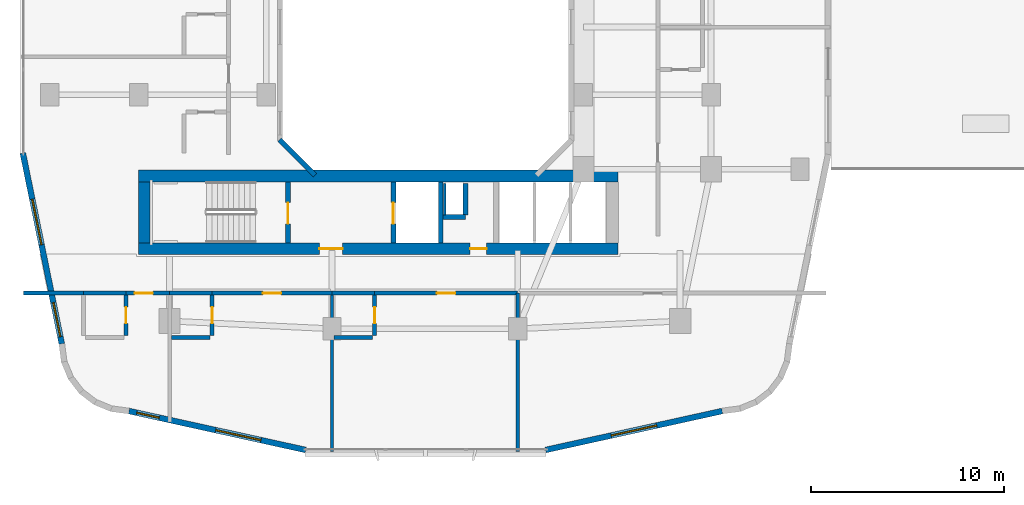
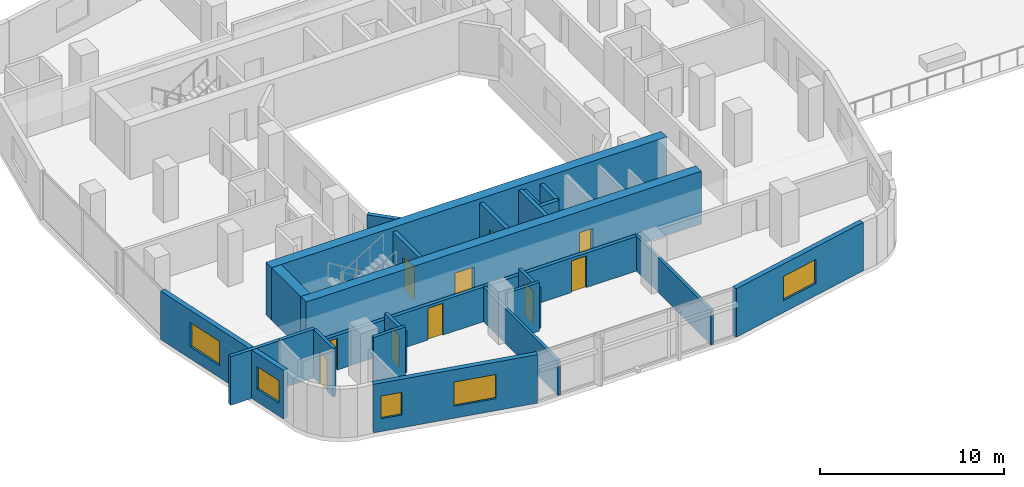
# One storey, part 12 of 25: 27 walls, 10 doors, 5 windows, 15 openings.
"""IFC4 building model written with IfcOpenShell, lengths in metres."""

from ifc_helpers import new_model, si_unit, derived_unit, direction, frame, frame_2d, origin, place, context, subcontext, project, spatial, rectangle, extrude, material, layer, layer_set, type_object, element, fill, save


model = new_model("IFC4")

# Units and contexts
model_context = context("Model", 3, precision=1e-05, world=origin(), true_north=direction((0.0, 1.0)))
body_context = subcontext(model_context, "Body", "Model", "MODEL_VIEW")
ifc_project = project(units=[si_unit("LENGTHUNIT", "METRE"), si_unit("AREAUNIT", "SQUARE_METRE"), si_unit("VOLUMEUNIT", "CUBIC_METRE"), si_unit("PLANEANGLEUNIT", "RADIAN"), si_unit("MASSUNIT", "GRAM", prefix="KILO"), derived_unit("THERMALTRANSMITTANCEUNIT", [(si_unit("POWERUNIT", "WATT"), 1), (si_unit("LENGTHUNIT", "METRE"), -2), (si_unit("THERMODYNAMICTEMPERATUREUNIT", "KELVIN"), -1)])], contexts=[model_context])

# Site, building, storey
site_placement = place(None, origin())
site = spatial("IfcSite", under=ifc_project, at=site_placement, CompositionType="ELEMENT")
building_placement = place(site_placement, origin())
building = spatial("IfcBuilding", under=site, at=building_placement, Name="Kivonza Crest Hotel", CompositionType="ELEMENT")
storey_placement = place(building_placement, frame((0.0, 0.0, 24.0)))
storey = spatial("IfcBuildingStorey", under=building, at=storey_placement, Name="L05", CompositionType="ELEMENT", Elevation=24.0)

# Walls
ifc_material_1 = material(Name="High-density acoustic masonry inter-tenancy wall", Category="masonry")
ifc_layer_1 = layer(ifc_material_1, 0.179931640625)
ifc_layer_set_1 = layer_set([ifc_layer_1], Name="High-density acoustic masonry inter-tenancy wall")
wall_type_1 = type_object("IfcWallType", Name="WL-ACOU-180", PredefinedType="SOLIDWALL", material=ifc_layer_set_1)
for number, where, z_axis, x_axis, name in (
    (1, (16.199951171875, 3.06005859375, 0.0), (0.0, 0.0, 1.0), (0.0, 1.0, 0.0), "L05 interior partition WA-L05-T1S-DIV2"),
    (2, (25.800048828125, 3.06005859375, 0.0), (0.0, 0.0, 1.0), (0.0, 1.0, 0.0), "L05 interior partition WA-L05-T1S-DIV3"),
):
    element("IfcWall", number, at=place(storey_placement, frame(where, z_axis=z_axis, x_axis=x_axis)), inside=storey, type_object=wall_type_1, Name=name, PredefinedType="SOLIDWALL", context=body_context, shape_type="SweptSolid", body=[
        extrude(rectangle(XDim=8.18994140625, YDim=0.179931640625, at=frame_2d((4.094970703125, 0.0))), origin(), (0.0, 0.0, 1.0), 2.294921875),
    ])
ifc_material_2 = material(Name="Autoclaved aerated concrete blockwork", Category="masonry")
ifc_layer_2 = layer(ifc_material_2, 0.219970703125)
ifc_layer_set_2 = layer_set([ifc_layer_2], Name="Autoclaved aerated concrete blockwork")
wall_type_2 = type_object("IfcWallType", Name="WL-ACOU-220", PredefinedType="SOLIDWALL", material=ifc_layer_set_2)
wall_1_placement = place(storey_placement, frame((0.239990234375, 11.25, 0.0), z_axis=(0.0, 0.0, 1.0), x_axis=(1.0, 0.0, 0.0)))
element("IfcWall", 3, at=wall_1_placement, inside=storey, type_object=wall_type_2, Name="L05 interior partition WA-L05-S03-XCORR", PredefinedType="SOLIDWALL", context=body_context, shape_type="SweptSolid", body=[
    extrude(rectangle(XDim=3.110107421875, YDim=0.219970703125, at=frame_2d((1.55517578125, 0.0))), origin(), (0.0, 0.0, 1.0), 3.219970703125),
])
wall_2_placement = place(storey_placement, frame((3.35009765625, 11.25, 0.0), z_axis=(0.0, 0.0, 1.0), x_axis=(1.0, 0.0, 0.0)))
element("IfcWall", 4, at=wall_2_placement, inside=storey, type_object=wall_type_2, Name="L05 interior partition WA-L05-S03-BCORR", PredefinedType="SOLIDWALL", context=body_context, shape_type="SweptSolid", body=[
    extrude(rectangle(XDim=2.199951171875, YDim=0.219970703125, at=frame_2d((1.10009765625, 0.0))), origin(), (0.0, 0.0, 1.0), 3.219970703125),
])

# Wall, opening, door
wall_3_placement = place(storey_placement, frame((5.550048828125, 11.25, 0.0), z_axis=(0.0, 0.0, 1.0), x_axis=(1.0, 0.0, 0.0)))
wall_3 = element("IfcWall", 5, at=wall_3_placement, inside=storey, type_object=wall_type_2, Name="L05 interior partition WA-L05-S03-MCORR", PredefinedType="SOLIDWALL", context=body_context, shape_type="SweptSolid", body=[
    extrude(rectangle(XDim=2.25, YDim=0.219970703125, at=frame_2d((1.125, 0.0))), origin(), (0.0, 0.0, 1.0), 2.294921875),
])
opening_1_placement = place(wall_3_placement, frame((0.43994140625, 0.0, 0.0)))
opening_1 = element("IfcOpeningElement", 6, at=opening_1_placement, cuts=wall_3, Name="Opening DU-60", PredefinedType="OPENING", context=body_context, shape_type="SweptSolid", body=[
    extrude(rectangle(XDim=0.949951171875, YDim=2.10009765625, at=frame_2d((0.47509765625, 1.050048828125))), frame((0.0, 0.1201171875, 0.0), z_axis=(0.0, -1.0, 0.0), x_axis=(1.0, 0.0, 0.0)), (0.0, 0.0, 1.0), 0.239990234375),
])
ifc_material_3 = material(Name="Hardwood timber oak", Category="wood")
door_type_1 = type_object("IfcDoorType", Name="DR-UNIT-950", OperationType="NOTDEFINED", PredefinedType="DOOR", material=ifc_material_3)
door_1_placement = place(opening_1_placement, frame((0.949951171875, 0.0, 0.0), z_axis=(0.0, 0.0, 1.0), x_axis=(-1.0, 0.0, 0.0)))
door_1 = element("IfcDoor", 7, at=door_1_placement, inside=storey, type_object=door_type_1, Name="L05 S03 guest unit entrance fire door", OperationType="SINGLE_SWING_LEFT", OverallHeight=2.10009765625, OverallWidth=0.949951171875, PredefinedType="DOOR", context=body_context, shape_type="SweptSolid", body=[
    extrude(rectangle(XDim=0.949951171875, YDim=2.10009765625, at=frame_2d((0.47509765625, 1.050048828125))), frame((0.0, 0.02490234375, 0.0), z_axis=(0.0, -1.0, 0.0), x_axis=(1.0, 0.0, 0.0)), (0.0, 0.0, 1.0), 0.050048828125),
])
fill(opening_1, door_1)

# Wall
wall_4_placement = place(storey_placement, frame((7.800048828125, 11.25, 0.0), z_axis=(0.0, 0.0, 1.0), x_axis=(1.0, 0.0, 0.0)))
element("IfcWall", 8, at=wall_4_placement, inside=storey, type_object=wall_type_2, Name="L05 interior partition WA-L05-S04-BCORR", PredefinedType="SOLIDWALL", context=body_context, shape_type="SweptSolid", body=[
    extrude(rectangle(XDim=2.199951171875, YDim=0.219970703125, at=frame_2d((1.10009765625, 0.0))), origin(), (0.0, 0.0, 1.0), 2.294921875),
])

# Wall, opening, door
wall_5_placement = place(storey_placement, frame((10.0, 11.25, 0.0), z_axis=(0.0, 0.0, 1.0), x_axis=(1.0, 0.0, 0.0)))
wall_5 = element("IfcWall", 9, at=wall_5_placement, inside=storey, type_object=wall_type_2, Name="L05 interior partition WA-L05-S04-MCORR", PredefinedType="SOLIDWALL", context=body_context, shape_type="SweptSolid", body=[
    extrude(rectangle(XDim=6.199951171875, YDim=0.219970703125, at=frame_2d((3.10009765625, 0.0))), origin(), (0.0, 0.0, 1.0), 2.294921875),
])
opening_2_placement = place(wall_5_placement, frame((2.625, 0.0, 0.0)))
opening_2 = element("IfcOpeningElement", 10, at=opening_2_placement, cuts=wall_5, Name="Opening DU-60", PredefinedType="OPENING", context=body_context, shape_type="SweptSolid", body=[
    extrude(rectangle(XDim=0.949951171875, YDim=2.10009765625, at=frame_2d((0.47509765625, 1.050048828125))), frame((0.0, 0.1201171875, 0.0), z_axis=(0.0, -1.0, 0.0), x_axis=(1.0, 0.0, 0.0)), (0.0, 0.0, 1.0), 0.239990234375),
])
door_2_placement = place(opening_2_placement, frame((0.949951171875, 0.0, 0.0), z_axis=(0.0, 0.0, 1.0), x_axis=(-1.0, 0.0, 0.0)))
door_2 = element("IfcDoor", 11, at=door_2_placement, inside=storey, type_object=door_type_1, Name="L05 S04 guest unit entrance fire door", OperationType="SINGLE_SWING_RIGHT", OverallHeight=2.10009765625, OverallWidth=0.949951171875, PredefinedType="DOOR", context=body_context, shape_type="SweptSolid", body=[
    extrude(rectangle(XDim=0.949951171875, YDim=2.10009765625, at=frame_2d((0.47509765625, 1.050048828125))), frame((0.0, 0.02490234375, 0.0), z_axis=(0.0, -1.0, 0.0), x_axis=(1.0, 0.0, 0.0)), (0.0, 0.0, 1.0), 0.050048828125),
])
fill(opening_2, door_2)

# Wall
wall_6_placement = place(storey_placement, frame((16.199951171875, 11.25, 0.0), z_axis=(0.0, 0.0, 1.0), x_axis=(1.0, 0.0, 0.0)))
element("IfcWall", 12, at=wall_6_placement, inside=storey, type_object=wall_type_2, Name="L05 interior partition WA-L05-S05-BCORR", PredefinedType="SOLIDWALL", context=body_context, shape_type="SweptSolid", body=[
    extrude(rectangle(XDim=2.199951171875, YDim=0.219970703125, at=frame_2d((1.10009765625, 0.0))), origin(), (0.0, 0.0, 1.0), 2.294921875),
])

# Wall, opening, door
wall_7_placement = place(storey_placement, frame((18.39990234375, 11.25, 0.0), z_axis=(0.0, 0.0, 1.0), x_axis=(1.0, 0.0, 0.0)))
wall_7 = element("IfcWall", 13, at=wall_7_placement, inside=storey, type_object=wall_type_2, Name="L05 interior partition WA-L05-S05-MCORR", PredefinedType="SOLIDWALL", context=body_context, shape_type="SweptSolid", body=[
    extrude(rectangle(XDim=7.400146484375, YDim=0.219970703125, at=frame_2d((3.7001953125, 0.0))), origin(), (0.0, 0.0, 1.0), 2.294921875),
])
opening_3_placement = place(wall_7_placement, frame((3.22509765625, 0.0, 0.0)))
opening_3 = element("IfcOpeningElement", 14, at=opening_3_placement, cuts=wall_7, Name="Opening DU-60", PredefinedType="OPENING", context=body_context, shape_type="SweptSolid", body=[
    extrude(rectangle(XDim=0.949951171875, YDim=2.10009765625, at=frame_2d((0.47509765625, 1.050048828125))), frame((0.0, 0.1201171875, 0.0), z_axis=(0.0, -1.0, 0.0), x_axis=(1.0, 0.0, 0.0)), (0.0, 0.0, 1.0), 0.239990234375),
])
door_3_placement = place(opening_3_placement, frame((0.949951171875, 0.0, 0.0), z_axis=(0.0, 0.0, 1.0), x_axis=(-1.0, 0.0, 0.0)))
door_3 = element("IfcDoor", 15, at=door_3_placement, inside=storey, type_object=door_type_1, Name="L05 S05 guest unit entrance fire door", OperationType="SINGLE_SWING_LEFT", OverallHeight=2.10009765625, OverallWidth=0.949951171875, PredefinedType="DOOR", context=body_context, shape_type="SweptSolid", body=[
    extrude(rectangle(XDim=0.949951171875, YDim=2.10009765625, at=frame_2d((0.47509765625, 1.050048828125))), frame((0.0, 0.02490234375, 0.0), z_axis=(0.0, -1.0, 0.0), x_axis=(1.0, 0.0, 0.0)), (0.0, 0.0, 1.0), 0.050048828125),
])
fill(opening_3, door_3)

# Wall, openings, doors
ifc_material_4 = material(Name="Concrete C60/75", Category="concrete")
ifc_layer_3 = layer(ifc_material_4, 0.60009765625)
ifc_layer_set_3 = layer_set([ifc_layer_3], Name="Concrete C60/75")
wall_type_3 = type_object("IfcWallType", Name="WL-CORE-600", PredefinedType="SHEAR", material=ifc_layer_set_3)
wall_8_placement = place(storey_placement, frame((6.199951171875, 13.5400390625, 0.0), z_axis=(0.0, 0.0, 1.0), x_axis=(1.0, 0.0, 0.0)))
wall_8 = element("IfcWall", 16, at=wall_8_placement, inside=storey, type_object=wall_type_3, Name="Core wall T1-S South L05", PredefinedType="SHEAR", context=body_context, shape_type="SweptSolid", body=[
    extrude(rectangle(XDim=24.800048828125, YDim=0.60009765625, at=frame_2d((12.39990234375, 0.0))), origin(), (0.0, 0.0, 1.0), 3.5),
])
opening_4_placement = place(wall_8_placement, frame((9.35009765625, 0.0, 0.0)))
opening_4 = element("IfcOpeningElement", 17, at=opening_4_placement, cuts=wall_8, Name="Opening DF-60", PredefinedType="OPENING", context=body_context, shape_type="SweptSolid", body=[
    extrude(rectangle(XDim=1.199951171875, YDim=2.14990234375, at=frame_2d((0.60009765625, 1.074951171875))), frame((0.0, 0.31005859375, 0.0), z_axis=(0.0, -1.0, 0.0), x_axis=(1.0, 0.0, 0.0)), (0.0, 0.0, 1.0), 0.6201171875),
])
opening_5_placement = place(wall_8_placement, frame((17.139892578125, 0.0, 0.0)))
opening_5 = element("IfcOpeningElement", 18, at=opening_5_placement, cuts=wall_8, Name="Opening DF-60R", PredefinedType="OPENING", context=body_context, shape_type="SweptSolid", body=[
    extrude(rectangle(XDim=0.85009765625, YDim=2.10009765625, at=frame_2d((0.425048828125, 1.050048828125))), frame((0.0, 0.31005859375, 0.0), z_axis=(0.0, -1.0, 0.0), x_axis=(1.0, 0.0, 0.0)), (0.0, 0.0, 1.0), 0.6201171875),
])
door_type_2 = type_object("IfcDoorType", Name="DR-FD60-1200", OperationType="NOTDEFINED", PredefinedType="DOOR", material=ifc_material_3)
door_4_placement = place(opening_4_placement, frame((1.199951171875, 0.0, 0.0), z_axis=(0.0, 0.0, 1.0), x_axis=(-1.0, 0.0, 0.0)))
door_4 = element("IfcDoor", 19, at=door_4_placement, inside=storey, type_object=door_type_2, Name="L05 T1-S firefighting lobby fire door", OperationType="SINGLE_SWING_LEFT", OverallHeight=2.14990234375, OverallWidth=1.199951171875, PredefinedType="DOOR", context=body_context, shape_type="SweptSolid", body=[
    extrude(rectangle(XDim=1.199951171875, YDim=2.14990234375, at=frame_2d((0.60009765625, 1.074951171875))), frame((0.0, 0.02490234375, 0.0), z_axis=(0.0, -1.0, 0.0), x_axis=(1.0, 0.0, 0.0)), (0.0, 0.0, 1.0), 0.050048828125),
])
fill(opening_4, door_4)
door_type_3 = type_object("IfcDoorType", Name="DR-FD60-850", OperationType="NOTDEFINED", PredefinedType="DOOR", material=ifc_material_3)
door_5_placement = place(opening_5_placement, frame((0.85009765625, 0.0, 0.0), z_axis=(0.0, 0.0, 1.0), x_axis=(-1.0, 0.0, 0.0)))
door_5 = element("IfcDoor", 20, at=door_5_placement, inside=storey, type_object=door_type_3, Name="L05 T1-S core room door", OperationType="SINGLE_SWING_RIGHT", OverallHeight=2.10009765625, OverallWidth=0.85009765625, PredefinedType="DOOR", context=body_context, shape_type="SweptSolid", body=[
    extrude(rectangle(XDim=0.85009765625, YDim=2.10009765625, at=frame_2d((0.425048828125, 1.050048828125))), frame((0.0, 0.02490234375, 0.0), z_axis=(0.0, -1.0, 0.0), x_axis=(1.0, 0.0, 0.0)), (0.0, 0.0, 1.0), 0.050048828125),
])
fill(opening_5, door_5)

# Walls
wall_9_placement = place(storey_placement, frame((6.199951171875, 17.300048828125, 0.0), z_axis=(0.0, 0.0, 1.0), x_axis=(1.0, 0.0, 0.0)))
element("IfcWall", 21, at=wall_9_placement, inside=storey, type_object=wall_type_3, Name="Core wall T1-S North L05", PredefinedType="SHEAR", context=body_context, shape_type="SweptSolid", body=[
    extrude(rectangle(XDim=24.800048828125, YDim=0.60009765625, at=frame_2d((12.39990234375, 0.0))), origin(), (0.0, 0.0, 1.0), 3.5),
])
wall_10_placement = place(storey_placement, frame((6.5, 13.840087890625, 0.0), z_axis=(0.0, 0.0, 1.0), x_axis=(0.0, 1.0, 0.0)))
element("IfcWall", 22, at=wall_10_placement, inside=storey, type_object=wall_type_3, Name="Core wall T1-S West L05", PredefinedType="SHEAR", context=body_context, shape_type="SweptSolid", body=[
    extrude(rectangle(XDim=3.159912109375, YDim=0.60009765625, at=frame_2d((1.580078125, 0.0))), origin(), (0.0, 0.0, 1.0), 3.5),
])
ifc_material_5 = material(Name="Precast concrete C40/50", Category="concrete")
ifc_layer_4 = layer(ifc_material_5, 0.260009765625)
ifc_layer_set_4 = layer_set([ifc_layer_4], Name="Precast concrete C40/50")
wall_type_4 = type_object("IfcWallType", Name="WL-EXT-260", PredefinedType="STANDARD", material=ifc_layer_set_4)
wall_11_placement = place(storey_placement, frame((13.48388671875, 19.172119140625, 0.0), z_axis=(0.0, 0.0, 1.0), x_axis=(0.707106781187, -0.707106781187, 0.0)))
element("IfcWall", 23, at=wall_11_placement, inside=storey, type_object=wall_type_4, Name="L05 T1 light-well exterior wall 8", PredefinedType="STANDARD", context=body_context, shape_type="SweptSolid", body=[
    extrude(rectangle(XDim=2.593994140625, YDim=0.260009765625, at=frame_2d((1.296875, 0.0))), origin(), (0.0, 0.0, 1.0), 3.219970703125),
])

# Wall, openings, windows
ifc_layer_5 = layer(ifc_material_5, 0.300048828125)
ifc_layer_set_5 = layer_set([ifc_layer_5], Name="Precast concrete C40/50")
wall_type_5 = type_object("IfcWallType", Name="WL-EXT-300", PredefinedType="STANDARD", material=ifc_layer_set_5)
wall_12_placement = place(storey_placement, frame((5.7041015625, 5.14794921875, 0.0), z_axis=(0.0, 0.0, 1.0), x_axis=(0.9765437942, -0.215318875183, 0.0)))
wall_12 = element("IfcWall", 24, at=wall_12_placement, inside=storey, type_object=wall_type_5, Name="L05 T1 exterior insulated wall 7", PredefinedType="STANDARD", context=body_context, shape_type="SweptSolid", body=[
    extrude(rectangle(XDim=9.353271484375, YDim=0.300048828125, at=frame_2d((4.6767578125, 0.0))), origin(), (0.0, 0.0, 1.0), 3.219970703125),
])
opening_6_placement = place(wall_12_placement, frame((0.407958984375, 0.0, 0.85009765625)))
opening_6 = element("IfcOpeningElement", 25, at=opening_6_placement, cuts=wall_12, Name="Opening WN-01", PredefinedType="OPENING", context=body_context, shape_type="SweptSolid", body=[
    extrude(rectangle(XDim=1.199951171875, YDim=1.5, at=frame_2d((0.60009765625, 0.75))), frame((0.0, 0.16015625, 0.0), z_axis=(0.0, -1.0, 0.0), x_axis=(1.0, 0.0, 0.0)), (0.0, 0.0, 1.0), 0.320068359375),
])
opening_7_placement = place(wall_12_placement, frame((4.590087890625, 0.0, 0.800048828125)))
opening_7 = element("IfcOpeningElement", 26, at=opening_7_placement, cuts=wall_12, Name="Opening WN-05", PredefinedType="OPENING", context=body_context, shape_type="SweptSolid", body=[
    extrude(rectangle(XDim=2.39990234375, YDim=1.60009765625, at=frame_2d((1.199951171875, 0.800048828125))), frame((0.0, 0.16015625, 0.0), z_axis=(0.0, -1.0, 0.0), x_axis=(1.0, 0.0, 0.0)), (0.0, 0.0, 1.0), 0.320068359375),
])
ifc_material_6 = material(Name="Thermally broken bronze aluminium and low-E double glazing", Category="aluminium")
window_type_1 = type_object("IfcWindowType", Name="WN-120x150", PartitioningType="SINGLE_PANEL", PredefinedType="WINDOW", material=ifc_material_6)
window_1_placement = place(opening_6_placement, origin())
window_1 = element("IfcWindow", 27, at=window_1_placement, inside=storey, type_object=window_type_1, Name="L05 T1 facade window 7 bay 1", OverallHeight=1.5, OverallWidth=1.199951171875, PartitioningType="SINGLE_PANEL", PredefinedType="WINDOW", context=body_context, shape_type="SweptSolid", body=[
    extrude(rectangle(XDim=1.199951171875, YDim=1.5, at=frame_2d((0.60009765625, 0.75))), frame((0.0, 0.030029296875, 0.0), z_axis=(0.0, -1.0, 0.0), x_axis=(1.0, 0.0, 0.0)), (0.0, 0.0, 1.0), 0.06005859375),
])
fill(opening_6, window_1)
window_type_2 = type_object("IfcWindowType", Name="WN-240x160", PartitioningType="TRIPLE_PANEL_VERTICAL", PredefinedType="WINDOW", material=ifc_material_6)
window_2_placement = place(opening_7_placement, origin())
window_2 = element("IfcWindow", 28, at=window_2_placement, inside=storey, type_object=window_type_2, Name="L05 T1 facade window 7 bay 2", OverallHeight=1.60009765625, OverallWidth=2.39990234375, PartitioningType="SINGLE_PANEL", PredefinedType="WINDOW", context=body_context, shape_type="SweptSolid", body=[
    extrude(rectangle(XDim=2.39990234375, YDim=1.60009765625, at=frame_2d((1.199951171875, 0.800048828125))), frame((0.0, 0.030029296875, 0.0), z_axis=(0.0, -1.0, 0.0), x_axis=(1.0, 0.0, 0.0)), (0.0, 0.0, 1.0), 0.06005859375),
])
fill(opening_7, window_2)

# Wall, opening, window
wall_13_placement = place(storey_placement, frame((27.241943359375, 3.134033203125, 0.0), z_axis=(0.0, 0.0, 1.0), x_axis=(0.97654500432, 0.215313386808, 0.0)))
wall_13 = element("IfcWall", 29, at=wall_13_placement, inside=storey, type_object=wall_type_5, Name="L05 T1 exterior insulated wall 9", PredefinedType="STANDARD", context=body_context, shape_type="SweptSolid", body=[
    extrude(rectangle(XDim=9.353515625, YDim=0.300048828125, at=frame_2d((4.6767578125, 0.0))), origin(), (0.0, 0.0, 1.0), 3.219970703125),
])
opening_8_placement = place(wall_13_placement, frame((3.47705078125, 0.0, 0.800048828125)))
opening_8 = element("IfcOpeningElement", 30, at=opening_8_placement, cuts=wall_13, Name="Opening WN-05", PredefinedType="OPENING", context=body_context, shape_type="SweptSolid", body=[
    extrude(rectangle(XDim=2.39990234375, YDim=1.60009765625, at=frame_2d((1.199951171875, 0.800048828125))), frame((0.0, 0.16015625, 0.0), z_axis=(0.0, -1.0, 0.0), x_axis=(1.0, 0.0, 0.0)), (0.0, 0.0, 1.0), 0.320068359375),
])
window_3_placement = place(opening_8_placement, origin())
window_3 = element("IfcWindow", 31, at=window_3_placement, inside=storey, type_object=window_type_2, Name="L05 T1 facade window 9", OverallHeight=1.60009765625, OverallWidth=2.39990234375, PartitioningType="SINGLE_PANEL", PredefinedType="WINDOW", context=body_context, shape_type="SweptSolid", body=[
    extrude(rectangle(XDim=2.39990234375, YDim=1.60009765625, at=frame_2d((1.199951171875, 0.800048828125))), frame((0.0, 0.030029296875, 0.0), z_axis=(0.0, -1.0, 0.0), x_axis=(1.0, 0.0, 0.0)), (0.0, 0.0, 1.0), 0.06005859375),
])
fill(opening_8, window_3)

# Wall, openings, windows
wall_14_placement = place(storey_placement, frame((0.216064453125, 18.48388671875, 0.0), z_axis=(0.0, 0.0, 1.0), x_axis=(0.199990901713, -0.979797754249, 0.0)))
wall_14 = element("IfcWall", 32, at=wall_14_placement, inside=storey, type_object=wall_type_5, Name="L05 T1 exterior insulated wall 36", PredefinedType="STANDARD", context=body_context, shape_type="SweptSolid", body=[
    extrude(rectangle(XDim=10.065185546875, YDim=0.300048828125, at=frame_2d((5.03271484375, 0.0))), origin(), (0.0, 0.0, 1.0), 3.219970703125),
])
opening_9_placement = place(wall_14_placement, frame((2.428955078125, 0.0, 0.800048828125)))
opening_9 = element("IfcOpeningElement", 33, at=opening_9_placement, cuts=wall_14, Name="Opening WN-05", PredefinedType="OPENING", context=body_context, shape_type="SweptSolid", body=[
    extrude(rectangle(XDim=2.39990234375, YDim=1.60009765625, at=frame_2d((1.199951171875, 0.800048828125))), frame((0.0, 0.16015625, 0.0), z_axis=(0.0, -1.0, 0.0), x_axis=(1.0, 0.0, 0.0)), (0.0, 0.0, 1.0), 0.320068359375),
])
opening_10_placement = place(wall_14_placement, frame((7.886962890625, 0.0, 0.85009765625)))
opening_10 = element("IfcOpeningElement", 34, at=opening_10_placement, cuts=wall_14, Name="Opening WN-03", PredefinedType="OPENING", context=body_context, shape_type="SweptSolid", body=[
    extrude(rectangle(XDim=1.800048828125, YDim=1.5, at=frame_2d((0.89990234375, 0.75))), frame((0.0, 0.16015625, 0.0), z_axis=(0.0, -1.0, 0.0), x_axis=(1.0, 0.0, 0.0)), (0.0, 0.0, 1.0), 0.320068359375),
])
window_type_3 = type_object("IfcWindowType", Name="WN-180x150", PartitioningType="DOUBLE_PANEL_VERTICAL", PredefinedType="WINDOW", material=ifc_material_6)
window_4_placement = place(opening_10_placement, origin())
window_4 = element("IfcWindow", 35, at=window_4_placement, inside=storey, type_object=window_type_3, Name="L05 T1 facade window 36 bay 2", OverallHeight=1.5, OverallWidth=1.800048828125, PartitioningType="SINGLE_PANEL", PredefinedType="WINDOW", context=body_context, shape_type="SweptSolid", body=[
    extrude(rectangle(XDim=1.800048828125, YDim=1.5, at=frame_2d((0.89990234375, 0.75))), frame((0.0, 0.030029296875, 0.0), z_axis=(0.0, -1.0, 0.0), x_axis=(1.0, 0.0, 0.0)), (0.0, 0.0, 1.0), 0.06005859375),
])
fill(opening_10, window_4)
window_5_placement = place(opening_9_placement, origin())
window_5 = element("IfcWindow", 36, at=window_5_placement, inside=storey, type_object=window_type_2, Name="L05 T1 facade window 36 bay 1", OverallHeight=1.60009765625, OverallWidth=2.39990234375, PartitioningType="SINGLE_PANEL", PredefinedType="WINDOW", context=body_context, shape_type="SweptSolid", body=[
    extrude(rectangle(XDim=2.39990234375, YDim=1.60009765625, at=frame_2d((1.199951171875, 0.800048828125))), frame((0.0, 0.030029296875, 0.0), z_axis=(0.0, -1.0, 0.0), x_axis=(1.0, 0.0, 0.0)), (0.0, 0.0, 1.0), 0.06005859375),
])
fill(opening_9, window_5)

# Walls
ifc_material_7 = material(Name="Concrete blockwork fire-compartment wall", Category="masonry")
ifc_layer_6 = layer(ifc_material_7, 0.25)
ifc_layer_set_6 = layer_set([ifc_layer_6], Name="Concrete blockwork fire-compartment wall")
wall_type_6 = type_object("IfcWallType", Name="WL-FIRE-250", PredefinedType="SOLIDWALL", material=ifc_layer_set_6)
wall_15_placement = place(storey_placement, frame((23.10009765625, 15.280029296875, 0.0), z_axis=(0.0, 0.0, 1.0), x_axis=(0.0, 1.0, 0.0)))
element("IfcWall", 37, at=wall_15_placement, inside=storey, type_object=wall_type_6, Name="L05 interior partition WA-L05-T1-S-MEPR-E", PredefinedType="SOLIDWALL", context=body_context, shape_type="SweptSolid", body=[
    extrude(rectangle(XDim=1.619873046875, YDim=0.25, at=frame_2d((0.81005859375, 0.0))), origin(), (0.0, 0.0, 1.0), 3.219970703125),
])
wall_16_placement = place(storey_placement, frame((21.949951171875, 15.179931640625, 0.0), z_axis=(0.0, 0.0, 1.0), x_axis=(1.0, 0.0, 0.0)))
element("IfcWall", 38, at=wall_16_placement, inside=storey, type_object=wall_type_6, Name="L05 interior partition WA-L05-T1-S-MEPR-H", PredefinedType="SOLIDWALL", context=body_context, shape_type="SweptSolid", body=[
    extrude(rectangle(XDim=1.150146484375, YDim=0.25, at=frame_2d((0.5751953125, 0.0))), origin(), (0.0, 0.0, 1.0), 3.219970703125),
])
ifc_material_8 = material(Name="Twin-stud acoustic gypsum board partition", Category="gypsum")
ifc_layer_7 = layer(ifc_material_8, 0.14990234375)
ifc_layer_set_7 = layer_set([ifc_layer_7], Name="Twin-stud acoustic gypsum board partition")
wall_type_7 = type_object("IfcWallType", Name="WL-PART-150", PredefinedType="PARTITIONING", material=ifc_layer_set_7)
wall_17_placement = place(storey_placement, frame((22.030029296875, 15.280029296875, 0.0), z_axis=(0.0, 0.0, 1.0), x_axis=(0.0, 1.0, 0.0)))
element("IfcWall", 39, at=wall_17_placement, inside=storey, type_object=wall_type_7, Name="L05 interior partition WA-L05-T1-S-MEPR-W", PredefinedType="PARTITIONING", context=body_context, shape_type="SweptSolid", body=[
    extrude(rectangle(XDim=1.619873046875, YDim=0.14990234375, at=frame_2d((0.81005859375, 0.0))), origin(), (0.0, 0.0, 1.0), 3.219970703125),
])

# Wall, opening, door
ifc_material_9 = material(Name="Moisture-resistant plumbing chase partition wall", Category="gypsum")
ifc_layer_8 = layer(ifc_material_9, 0.199951171875)
ifc_layer_set_8 = layer_set([ifc_layer_8], Name="Moisture-resistant plumbing chase partition wall")
wall_type_8 = type_object("IfcWallType", Name="WL-PLUMB-200", PredefinedType="PLUMBINGWALL", material=ifc_layer_set_8)
wall_18_placement = place(storey_placement, frame((5.550048828125, 9.050048828125, 0.0), z_axis=(0.0, 0.0, 1.0), x_axis=(0.0, 1.0, 0.0)))
wall_18 = element("IfcWall", 40, at=wall_18_placement, inside=storey, type_object=wall_type_8, Name="L05 interior partition WW-L05-S03-BV", PredefinedType="PLUMBINGWALL", context=body_context, shape_type="SweptSolid", body=[
    extrude(rectangle(XDim=2.099853515625, YDim=0.199951171875, at=frame_2d((1.0498046875, 0.0))), origin(), (0.0, 0.0, 1.0), 3.219970703125),
])
opening_11_placement = place(wall_18_placement, frame((0.625, 0.0, 0.0)))
opening_11 = element("IfcOpeningElement", 41, at=opening_11_placement, cuts=wall_18, Name="Opening DI-85", PredefinedType="OPENING", context=body_context, shape_type="SweptSolid", body=[
    extrude(rectangle(XDim=0.85009765625, YDim=2.10009765625, at=frame_2d((0.425048828125, 1.050048828125))), frame((0.0, 0.10986328125, 0.0), z_axis=(0.0, -1.0, 0.0), x_axis=(1.0, 0.0, 0.0)), (0.0, 0.0, 1.0), 0.219970703125),
])
door_type_4 = type_object("IfcDoorType", Name="DR-INT-850", OperationType="NOTDEFINED", PredefinedType="DOOR", material=ifc_material_3)
door_6_placement = place(opening_11_placement, frame((0.85009765625, 0.0, 0.0), z_axis=(0.0, 0.0, 1.0), x_axis=(-1.0, 0.0, 0.0)))
door_6 = element("IfcDoor", 42, at=door_6_placement, inside=storey, type_object=door_type_4, Name="L05 S03 en-suite bathroom door", OperationType="SINGLE_SWING_RIGHT", OverallHeight=2.10009765625, OverallWidth=0.85009765625, PredefinedType="DOOR", context=body_context, shape_type="SweptSolid", body=[
    extrude(rectangle(XDim=0.85009765625, YDim=2.10009765625, at=frame_2d((0.425048828125, 1.050048828125))), frame((0.0, 0.02490234375, 0.0), z_axis=(0.0, -1.0, 0.0), x_axis=(1.0, 0.0, 0.0)), (0.0, 0.0, 1.0), 0.050048828125),
])
fill(opening_11, door_6)

wall_19_placement = place(storey_placement, frame((10.0, 9.050048828125, 0.0), z_axis=(0.0, 0.0, 1.0), x_axis=(0.0, 1.0, 0.0)))
wall_19 = element("IfcWall", 43, at=wall_19_placement, inside=storey, type_object=wall_type_8, Name="L05 interior partition WW-L05-S04-BV", PredefinedType="PLUMBINGWALL", context=body_context, shape_type="SweptSolid", body=[
    extrude(rectangle(XDim=2.099853515625, YDim=0.199951171875, at=frame_2d((1.0498046875, 0.0))), origin(), (0.0, 0.0, 1.0), 2.7451171875),
])
opening_12_placement = place(wall_19_placement, frame((0.625, 0.0, 0.0)))
opening_12 = element("IfcOpeningElement", 44, at=opening_12_placement, cuts=wall_19, Name="Opening DI-85", PredefinedType="OPENING", context=body_context, shape_type="SweptSolid", body=[
    extrude(rectangle(XDim=0.85009765625, YDim=2.10009765625, at=frame_2d((0.425048828125, 1.050048828125))), frame((0.0, 0.10986328125, 0.0), z_axis=(0.0, -1.0, 0.0), x_axis=(1.0, 0.0, 0.0)), (0.0, 0.0, 1.0), 0.219970703125),
])
door_7_placement = place(opening_12_placement, frame((0.85009765625, 0.0, 0.0), z_axis=(0.0, 0.0, 1.0), x_axis=(-1.0, 0.0, 0.0)))
door_7 = element("IfcDoor", 45, at=door_7_placement, inside=storey, type_object=door_type_4, Name="L05 S04 en-suite bathroom door", OperationType="SINGLE_SWING_LEFT", OverallHeight=2.10009765625, OverallWidth=0.85009765625, PredefinedType="DOOR", context=body_context, shape_type="SweptSolid", body=[
    extrude(rectangle(XDim=0.85009765625, YDim=2.10009765625, at=frame_2d((0.425048828125, 1.050048828125))), frame((0.0, 0.02490234375, 0.0), z_axis=(0.0, -1.0, 0.0), x_axis=(1.0, 0.0, 0.0)), (0.0, 0.0, 1.0), 0.050048828125),
])
fill(opening_12, door_7)

# Wall
wall_20_placement = place(storey_placement, frame((7.89990234375, 8.949951171875, 0.0), z_axis=(0.0, 0.0, 1.0), x_axis=(1.0, 0.0, 0.0)))
element("IfcWall", 46, at=wall_20_placement, inside=storey, type_object=wall_type_8, Name="L05 interior partition WW-L05-S04-BH", PredefinedType="PLUMBINGWALL", context=body_context, shape_type="SweptSolid", body=[
    extrude(rectangle(XDim=2.0, YDim=0.199951171875, at=frame_2d((1.0, 0.0))), origin(), (0.0, 0.0, 1.0), 3.219970703125),
])

# Wall, opening, door
wall_21_placement = place(storey_placement, frame((18.39990234375, 9.050048828125, 0.0), z_axis=(0.0, 0.0, 1.0), x_axis=(0.0, 1.0, 0.0)))
wall_21 = element("IfcWall", 47, at=wall_21_placement, inside=storey, type_object=wall_type_8, Name="L05 interior partition WW-L05-S05-BV", PredefinedType="PLUMBINGWALL", context=body_context, shape_type="SweptSolid", body=[
    extrude(rectangle(XDim=2.099853515625, YDim=0.199951171875, at=frame_2d((1.0498046875, 0.0))), origin(), (0.0, 0.0, 1.0), 2.7451171875),
])
opening_13_placement = place(wall_21_placement, frame((0.625, 0.0, 0.0)))
opening_13 = element("IfcOpeningElement", 48, at=opening_13_placement, cuts=wall_21, Name="Opening DI-85", PredefinedType="OPENING", context=body_context, shape_type="SweptSolid", body=[
    extrude(rectangle(XDim=0.85009765625, YDim=2.10009765625, at=frame_2d((0.425048828125, 1.050048828125))), frame((0.0, 0.10986328125, 0.0), z_axis=(0.0, -1.0, 0.0), x_axis=(1.0, 0.0, 0.0)), (0.0, 0.0, 1.0), 0.219970703125),
])
door_8_placement = place(opening_13_placement, frame((0.85009765625, 0.0, 0.0), z_axis=(0.0, 0.0, 1.0), x_axis=(-1.0, 0.0, 0.0)))
door_8 = element("IfcDoor", 49, at=door_8_placement, inside=storey, type_object=door_type_4, Name="L05 S05 en-suite bathroom door", OperationType="SINGLE_SWING_RIGHT", OverallHeight=2.10009765625, OverallWidth=0.85009765625, PredefinedType="DOOR", context=body_context, shape_type="SweptSolid", body=[
    extrude(rectangle(XDim=0.85009765625, YDim=2.10009765625, at=frame_2d((0.425048828125, 1.050048828125))), frame((0.0, 0.02490234375, 0.0), z_axis=(0.0, -1.0, 0.0), x_axis=(1.0, 0.0, 0.0)), (0.0, 0.0, 1.0), 0.050048828125),
])
fill(opening_13, door_8)

# Wall
wall_22_placement = place(storey_placement, frame((16.300048828125, 8.949951171875, 0.0), z_axis=(0.0, 0.0, 1.0), x_axis=(1.0, 0.0, 0.0)))
element("IfcWall", 50, at=wall_22_placement, inside=storey, type_object=wall_type_8, Name="L05 interior partition WW-L05-S05-BH", PredefinedType="PLUMBINGWALL", context=body_context, shape_type="SweptSolid", body=[
    extrude(rectangle(XDim=2.0, YDim=0.199951171875, at=frame_2d((1.0, 0.0))), origin(), (0.0, 0.0, 1.0), 3.219970703125),
])

# Wall, opening, door
ifc_material_10 = material(Name="Concrete C50/60", Category="concrete")
ifc_layer_9 = layer(ifc_material_10, 0.25)
ifc_layer_set_9 = layer_set([ifc_layer_9], Name="Concrete C50/60")
wall_type_9 = type_object("IfcWallType", Name="WL-SHAFT-250", PredefinedType="STANDARD", material=ifc_layer_set_9)
wall_23_placement = place(storey_placement, frame((13.925048828125, 13.840087890625, 0.0), z_axis=(0.0, 0.0, 1.0), x_axis=(0.0, 1.0, 0.0)))
wall_23 = element("IfcWall", 51, at=wall_23_placement, inside=storey, type_object=wall_type_9, Name="Core shaft wall T1-S STAIR L05", PredefinedType="STANDARD", context=body_context, shape_type="SweptSolid", body=[
    extrude(rectangle(XDim=3.159912109375, YDim=0.25, at=frame_2d((1.580078125, 0.0))), origin(), (0.0, 0.0, 1.0), 3.219970703125),
])
opening_14_placement = place(wall_23_placement, frame((0.97998046875, 0.0, 0.0)))
opening_14 = element("IfcOpeningElement", 52, at=opening_14_placement, cuts=wall_23, Name="Opening DF-120", PredefinedType="OPENING", context=body_context, shape_type="SweptSolid", body=[
    extrude(rectangle(XDim=1.10009765625, YDim=2.14990234375, at=frame_2d((0.550048828125, 1.074951171875))), frame((0.0, 0.135009765625, 0.0), z_axis=(0.0, -1.0, 0.0), x_axis=(1.0, 0.0, 0.0)), (0.0, 0.0, 1.0), 0.27001953125),
])
ifc_material_11 = material(Name="Galvanised steel", Category="steel")
door_type_5 = type_object("IfcDoorType", Name="DR-FD120-1100", OperationType="NOTDEFINED", PredefinedType="DOOR", material=ifc_material_11)
door_9_placement = place(opening_14_placement, frame((1.10009765625, 0.0, 0.0), z_axis=(0.0, 0.0, 1.0), x_axis=(-1.0, 0.0, 0.0)))
door_9 = element("IfcDoor", 53, at=door_9_placement, inside=storey, type_object=door_type_5, Name="L05 T1-S stair fire door", OperationType="SINGLE_SWING_RIGHT", OverallHeight=2.14990234375, OverallWidth=1.10009765625, PredefinedType="DOOR", context=body_context, shape_type="SweptSolid", body=[
    extrude(rectangle(XDim=1.10009765625, YDim=2.14990234375, at=frame_2d((0.550048828125, 1.074951171875))), frame((0.0, 0.02490234375, 0.0), z_axis=(0.0, -1.0, 0.0), x_axis=(1.0, 0.0, 0.0)), (0.0, 0.0, 1.0), 0.050048828125),
])
fill(opening_14, door_9)

wall_24_placement = place(storey_placement, frame((19.375, 13.840087890625, 0.0), z_axis=(0.0, 0.0, 1.0), x_axis=(0.0, 1.0, 0.0)))
wall_24 = element("IfcWall", 54, at=wall_24_placement, inside=storey, type_object=wall_type_9, Name="Core shaft wall T1-S FFL-W L05", PredefinedType="STANDARD", context=body_context, shape_type="SweptSolid", body=[
    extrude(rectangle(XDim=3.159912109375, YDim=0.25, at=frame_2d((1.580078125, 0.0))), origin(), (0.0, 0.0, 1.0), 3.219970703125),
])
opening_15_placement = place(wall_24_placement, frame((0.97998046875, 0.0, 0.0)))
opening_15 = element("IfcOpeningElement", 55, at=opening_15_placement, cuts=wall_24, Name="Opening LD-120", PredefinedType="OPENING", context=body_context, shape_type="SweptSolid", body=[
    extrude(rectangle(XDim=1.10009765625, YDim=2.14990234375, at=frame_2d((0.550048828125, 1.074951171875))), frame((0.0, 0.135009765625, 0.0), z_axis=(0.0, -1.0, 0.0), x_axis=(1.0, 0.0, 0.0)), (0.0, 0.0, 1.0), 0.27001953125),
])
ifc_material_12 = material(Name="Stainless steel", Category="steel")
door_type_6 = type_object("IfcDoorType", Name="DR-LD120-1100", OperationType="NOTDEFINED", PredefinedType="DOOR", material=ifc_material_12)
door_10_placement = place(opening_15_placement, origin())
door_10 = element("IfcDoor", 56, at=door_10_placement, inside=storey, type_object=door_type_6, Name="L05 FFL-T1-S firefighting lift sliding landing door", OperationType="DOUBLE_DOOR_SLIDING", OverallHeight=2.14990234375, OverallWidth=1.10009765625, PredefinedType="DOOR", context=body_context, shape_type="SweptSolid", body=[
    extrude(rectangle(XDim=1.10009765625, YDim=2.14990234375, at=frame_2d((0.550048828125, 1.074951171875))), frame((0.0, 0.02490234375, 0.0), z_axis=(0.0, -1.0, 0.0), x_axis=(1.0, 0.0, 0.0)), (0.0, 0.0, 1.0), 0.050048828125),
])
fill(opening_15, door_10)

# Wall
wall_25_placement = place(storey_placement, frame((21.824951171875, 13.840087890625, 0.0), z_axis=(0.0, 0.0, 1.0), x_axis=(0.0, 1.0, 0.0)))
element("IfcWall", 57, at=wall_25_placement, inside=storey, type_object=wall_type_9, Name="Core shaft wall T1-S FFL-E L05", PredefinedType="STANDARD", context=body_context, shape_type="SweptSolid", body=[
    extrude(rectangle(XDim=3.159912109375, YDim=0.25, at=frame_2d((1.580078125, 0.0))), origin(), (0.0, 0.0, 1.0), 3.219970703125),
])

save(model, "model.ifc")
